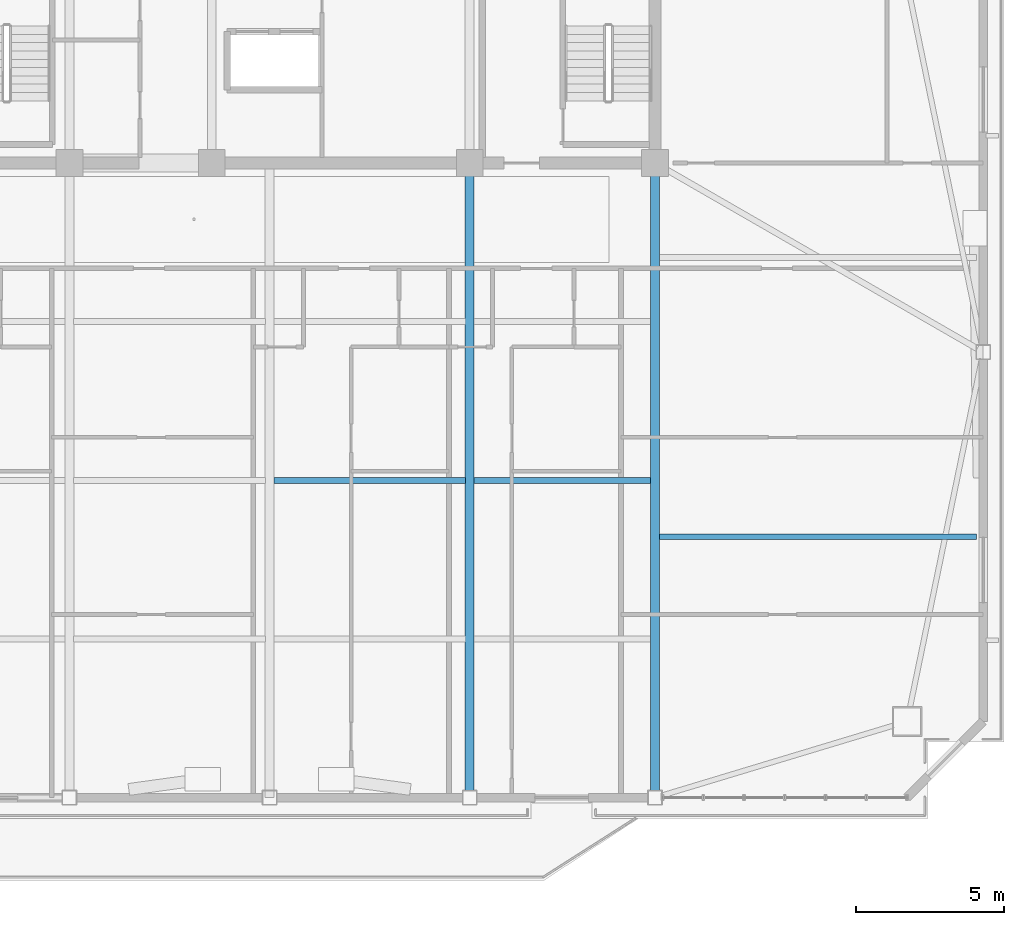
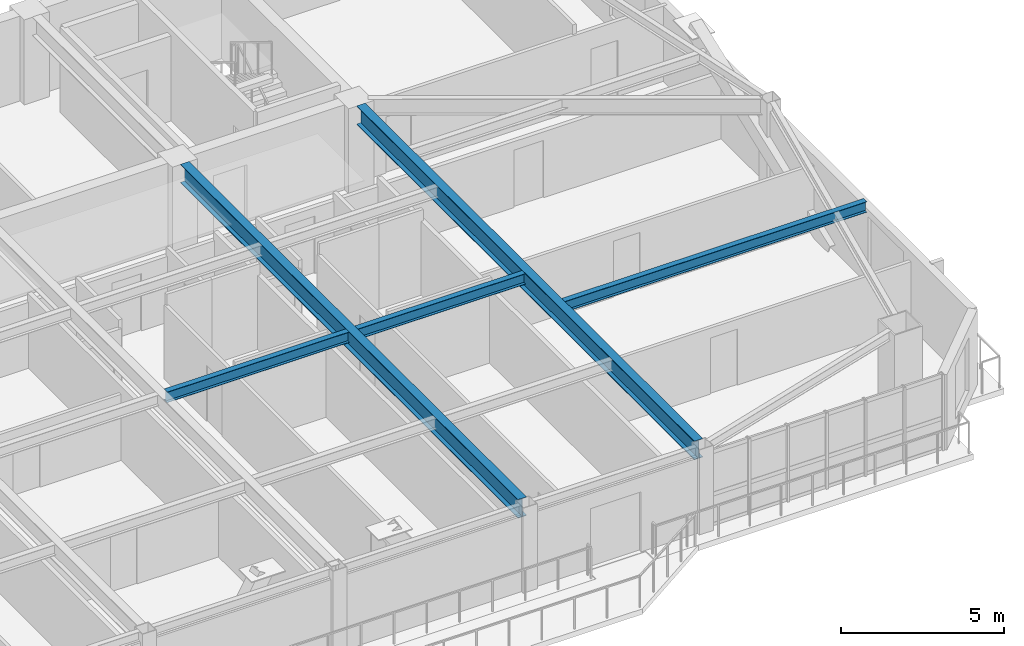
# One storey, part 5 of 18: 5 beams.
"""IFC4 building model written with IfcOpenShell, lengths in metres."""

from ifc_helpers import new_model, si_unit, direction, frame, origin, origin_2d, place, context, subcontext, project, spatial, i_section, extrude, source, transform, mapped, material, material_profile, profile_set, type_object, element, save


model = new_model("IFC4")

# Units and contexts
model_context = context("Model", 3, precision=1e-05, world=origin(), true_north=direction((0.0, 1.0)))
body_context = subcontext(model_context, "Body", "Model", "MODEL_VIEW")
ifc_project = project(units=[si_unit("LENGTHUNIT", "METRE"), si_unit("AREAUNIT", "SQUARE_METRE"), si_unit("VOLUMEUNIT", "CUBIC_METRE"), si_unit("PLANEANGLEUNIT", "RADIAN"), si_unit("MASSUNIT", "GRAM", prefix="KILO")], contexts=[model_context])

# Site, building, storey
site_placement = place(None, origin())
site = spatial("IfcSite", under=ifc_project, at=site_placement, CompositionType="ELEMENT")
building_placement = place(site_placement, origin())
building = spatial("IfcBuilding", under=site, at=building_placement, Name="Giltprow Tower", CompositionType="ELEMENT")
storey_placement = place(building_placement, frame((0.0, 0.0, 262.10009765625)))
storey = spatial("IfcBuildingStorey", under=building, at=storey_placement, Name="L67", CompositionType="ELEMENT", Elevation=262.10009765625)

# Beams
ifc_material = material(Name="Structural steel Q355B", Category="steel")
ifc_material_profile_1 = material_profile(ifc_material, i_section(OverallWidth=0.199951171875, OverallDepth=0.39990234375, WebThickness=0.008056640625, FlangeThickness=0.012939453125, at=origin_2d()), Name="HN 400x200x8x13")
ifc_profile_set_1 = profile_set([ifc_material_profile_1], Name="Structural steel Q355B")
beam_type_1 = type_object("IfcBeamType", Name="BM-JOIST-HN400", PredefinedType="JOIST", material=ifc_profile_set_1)
shared_shape_1 = source(origin(), body_context, "Body", "SweptSolid", [
    extrude(i_section(OverallWidth=0.199951171875, OverallDepth=0.39990234375, WebThickness=0.008056640625, FlangeThickness=0.012939453125, at=origin_2d()), origin(), (0.0, 0.0, 1.0), 6.4599609375),
])
beam_1_placement = place(storey_placement, frame((37.695068359375, 26.748046875, 2.98486328125), z_axis=(1.0, 0.0, 0.0), x_axis=(0.0, 1.0, 0.0)))
element("IfcBeam", 1, at=beam_1_placement, inside=storey, type_object=beam_type_1, Name="L67 Composite Floor Joist 2-3", PredefinedType="JOIST", context=body_context, shape_type="MappedRepresentation", body=[
    mapped(shared_shape_1, transform((0.0, 0.0, 0.0), x_axis=(1.0, 0.0, 0.0), y_axis=(0.0, 1.0, 0.0), z_axis=(0.0, 0.0, 1.0), scale=1.0)),
])
shared_shape_2 = source(origin(), body_context, "Body", "SweptSolid", [
    extrude(i_section(OverallWidth=0.199951171875, OverallDepth=0.39990234375, WebThickness=0.008056640625, FlangeThickness=0.012939453125, at=origin_2d()), origin(), (0.0, 0.0, 1.0), 5.9599609375),
])
beam_2_placement = place(storey_placement, frame((44.445068359375, 26.748046875, 2.98486328125), z_axis=(1.0, 0.0, 0.0), x_axis=(0.0, 1.0, 0.0)))
element("IfcBeam", 2, at=beam_2_placement, inside=storey, type_object=beam_type_1, Name="L67 Composite Floor Joist 2-4", PredefinedType="JOIST", context=body_context, shape_type="MappedRepresentation", body=[
    mapped(shared_shape_2, transform((0.0, 0.0, 0.0), x_axis=(1.0, 0.0, 0.0), y_axis=(0.0, 1.0, 0.0), z_axis=(0.0, 0.0, 1.0), scale=1.0)),
])
shared_shape_3 = source(origin(), body_context, "Body", "SweptSolid", [
    extrude(i_section(OverallWidth=0.199951171875, OverallDepth=0.39990234375, WebThickness=0.008056640625, FlangeThickness=0.012939453125, at=origin_2d()), origin(), (0.0, 0.0, 1.0), 10.70703125),
])
beam_3_placement = place(storey_placement, frame((50.695068359375, 24.843017578125, 2.98486328125), z_axis=(1.0, 0.0, 0.0), x_axis=(0.0, 1.0, 0.0)))
element("IfcBeam", 3, at=beam_3_placement, inside=storey, type_object=beam_type_1, Name="L67 East Wing Floor Joist 1", PredefinedType="JOIST", context=body_context, shape_type="MappedRepresentation", body=[
    mapped(shared_shape_3, transform((0.0, 0.0, 0.0), x_axis=(1.0, 0.0, 0.0), y_axis=(0.0, 1.0, 0.0), z_axis=(0.0, 0.0, 1.0), scale=1.0)),
])
ifc_material_profile_2 = material_profile(ifc_material, i_section(OverallWidth=0.300048828125, OverallDepth=0.699951171875, WebThickness=0.012939453125, FlangeThickness=0.02392578125, at=origin_2d()), Name="HN 700x300x13x24")
ifc_profile_set_2 = profile_set([ifc_material_profile_2], Name="Structural steel Q355B")
beam_type_2 = type_object("IfcBeamType", Name="BM-GIRD-HN700", PredefinedType="BEAM", material=ifc_profile_set_2)
shared_shape_4 = source(origin(), body_context, "Body", "SweptSolid", [
    extrude(i_section(OverallWidth=0.300048828125, OverallDepth=0.699951171875, WebThickness=0.012939453125, FlangeThickness=0.02392578125, at=origin_2d()), origin(), (0.0, 0.0, 1.0), 20.73486328125),
])
for number, where, z_axis, x_axis, name in (
    (4, (44.300048828125, 16.280029296875, 2.8349609375), (0.0, 1.0, 0.0), (-1.0, 0.0, 0.0), "L67 Primary Lease Girder S3"),
    (5, (50.550048828125, 16.280029296875, 2.8349609375), (0.0, 1.0, 0.0), (-1.0, 0.0, 0.0), "L67 Primary Lease Girder S4"),
):
    element("IfcBeam", number, at=place(storey_placement, frame(where, z_axis=z_axis, x_axis=x_axis)), inside=storey, type_object=beam_type_2, Name=name, PredefinedType="BEAM", context=body_context, shape_type="MappedRepresentation", body=[
        mapped(shared_shape_4, transform((0.0, 0.0, 0.0), x_axis=(1.0, 0.0, 0.0), y_axis=(0.0, 1.0, 0.0), z_axis=(0.0, 0.0, 1.0), scale=1.0)),
    ])

save(model, "model.ifc")
